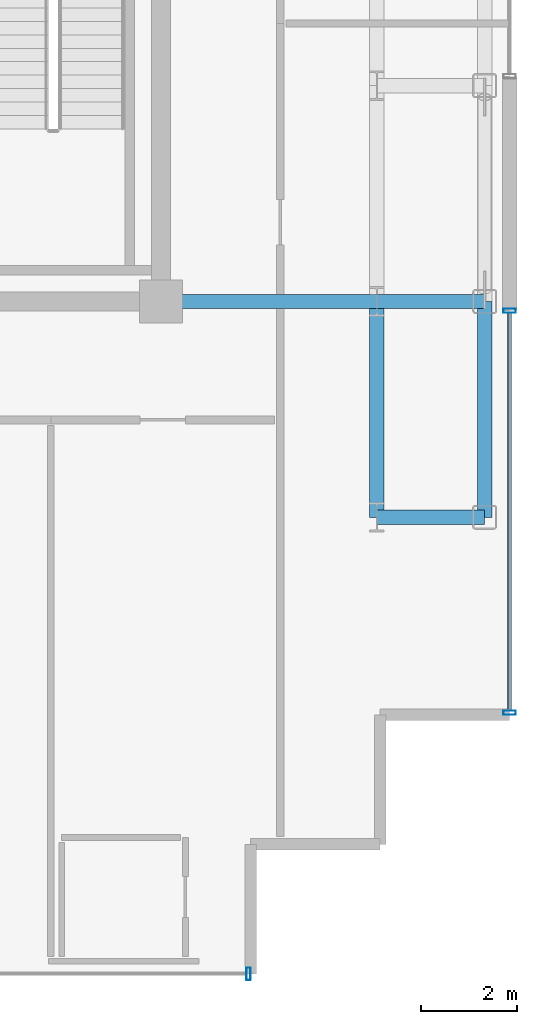
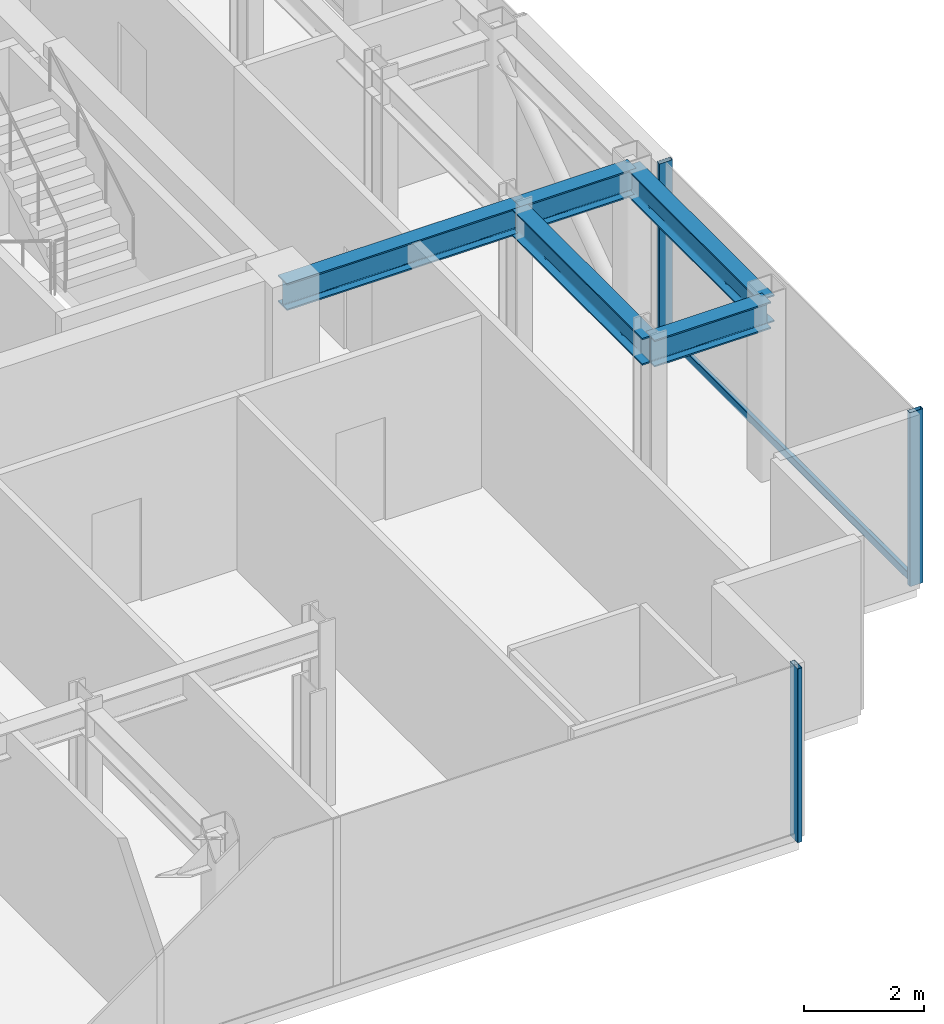
# One storey, part 5 of 16: 5 beams, 4 members, 2 elements without a shape of their own.
"""IFC4 building model written with IfcOpenShell, lengths in metres."""

from ifc_helpers import new_model, si_unit, direction, frame, origin, origin_2d, place, context, subcontext, project, spatial, hollow_rectangle, i_section, extrude, source, transform, mapped, material, layer, layer_set, material_profile, profile_set, type_object, element, aggregate, save


model = new_model("IFC4")

# Units and contexts
model_context = context("Model", 3, precision=1e-05, world=origin(), true_north=direction((0.0, 1.0)))
body_context = subcontext(model_context, "Body", "Model", "MODEL_VIEW")
ifc_project = project(units=[si_unit("LENGTHUNIT", "METRE"), si_unit("AREAUNIT", "SQUARE_METRE"), si_unit("VOLUMEUNIT", "CUBIC_METRE"), si_unit("PLANEANGLEUNIT", "RADIAN"), si_unit("MASSUNIT", "GRAM", prefix="KILO")], contexts=[model_context])

# Site, building, storey
site_placement = place(None, origin())
site = spatial("IfcSite", under=ifc_project, at=site_placement, CompositionType="ELEMENT")
building_placement = place(site_placement, origin())
building = spatial("IfcBuilding", under=site, at=building_placement, Name="Nefas-Gora Pilgrimage Tower", CompositionType="ELEMENT")
storey_placement = place(building_placement, frame((0.0, 0.0, 333.800048828125)))
storey = spatial("IfcBuildingStorey", under=building, at=storey_placement, Name="L84", CompositionType="ELEMENT", Elevation=333.800048828125)

# Beams
ifc_material_1 = material(Name="Steel S355", Category="steel")
ifc_material_profile_1 = material_profile(ifc_material_1, i_section(OverallWidth=0.300048828125, OverallDepth=0.550048828125, WebThickness=0.014892578125, FlangeThickness=0.029052734375, FilletRadius=0.027099609375, at=origin_2d()), Name="HEB 550")
ifc_profile_set_1 = profile_set([ifc_material_profile_1], Name="Steel S355")
beam_type_1 = type_object("IfcBeamType", Name="BM-SPN-HEB400", PredefinedType="SPANDREL", material=ifc_profile_set_1)
shared_shape_1 = source(origin(), body_context, "Body", "SweptSolid", [
    extrude(i_section(OverallWidth=0.300048828125, OverallDepth=0.550048828125, WebThickness=0.014892578125, FlangeThickness=0.029052734375, FilletRadius=0.027099609375, at=origin_2d()), origin(), (0.0, 0.0, 1.0), 4.5),
])
beam_placement = place(storey_placement, frame((18.0, -13.5, 3.27490234375), z_axis=(0.0, 1.0, 0.0), x_axis=(-1.0, 0.0, 0.0)))
element("IfcBeam", 1, at=beam_placement, inside=storey, type_object=beam_type_1, Name="L84 SP-04 beam", PredefinedType="SPANDREL", context=body_context, shape_type="MappedRepresentation", body=[
    mapped(shared_shape_1, transform((0.0, 0.0, 0.0), x_axis=(1.0, 0.0, 0.0), y_axis=(0.0, 1.0, 0.0), z_axis=(0.0, 0.0, 1.0), scale=1.0)),
])
ifc_material_profile_2 = material_profile(ifc_material_1, i_section(OverallWidth=0.300048828125, OverallDepth=0.550048828125, WebThickness=0.014892578125, FlangeThickness=0.029052734375, FilletRadius=0.027099609375, at=origin_2d()), Name="HEB 550")
ifc_profile_set_2 = profile_set([ifc_material_profile_2], Name="Steel S355")
beam_type_2 = type_object("IfcBeamType", Name="BM-GIR-HEB550", PredefinedType="BEAM", material=ifc_profile_set_2)
shared_shape_2 = source(origin(), body_context, "Body", "SweptSolid", [
    extrude(i_section(OverallWidth=0.300048828125, OverallDepth=0.550048828125, WebThickness=0.014892578125, FlangeThickness=0.029052734375, FilletRadius=0.027099609375, at=origin_2d()), origin(), (0.0, 0.0, 1.0), 4.5),
])
for number, where, z_axis, x_axis, name in (
    (2, (11.25, -9.0, 3.27490234375), (1.0, 0.0, 0.0), (0.0, 1.0, 0.0), "L84 G-05 beam"),
    (3, (15.75, -13.5, 3.27490234375), (0.0, 1.0, 0.0), (-1.0, 0.0, 0.0), "L84 G-05 beam"),
):
    element("IfcBeam", number, at=place(storey_placement, frame(where, z_axis=z_axis, x_axis=x_axis)), inside=storey, type_object=beam_type_2, Name=name, PredefinedType="BEAM", context=body_context, shape_type="MappedRepresentation", body=[
        mapped(shared_shape_2, transform((0.0, 0.0, 0.0), x_axis=(1.0, 0.0, 0.0), y_axis=(0.0, 1.0, 0.0), z_axis=(0.0, 0.0, 1.0), scale=1.0)),
    ])
shared_shape_3 = source(origin(), body_context, "Body", "SweptSolid", [
    extrude(i_section(OverallWidth=0.300048828125, OverallDepth=0.550048828125, WebThickness=0.014892578125, FlangeThickness=0.029052734375, FilletRadius=0.027099609375, at=origin_2d()), origin(), (0.0, 0.0, 1.0), 2.25),
])
for number, where, z_axis, x_axis, name in (
    (4, (15.75, -13.5, 3.27490234375), (1.0, 0.0, 0.0), (0.0, 1.0, 0.0), "L84 G-05 beam"),
    (5, (15.75, -9.0, 3.27490234375), (1.0, 0.0, 0.0), (0.0, 1.0, 0.0), "L84 G-05 beam"),
):
    element("IfcBeam", number, at=place(storey_placement, frame(where, z_axis=z_axis, x_axis=x_axis)), inside=storey, type_object=beam_type_2, Name=name, PredefinedType="BEAM", context=body_context, shape_type="MappedRepresentation", body=[
        mapped(shared_shape_3, transform((0.0, 0.0, 0.0), x_axis=(1.0, 0.0, 0.0), y_axis=(0.0, 1.0, 0.0), z_axis=(0.0, 0.0, 1.0), scale=1.0)),
    ])

# Curtain wall, member
ifc_material_2 = material(Name="Dark ceramic-fritted solar-control aluminium-glass curtain wall", Category="aluminium")
ifc_layer = layer(ifc_material_2, 0.219970703125)
ifc_layer_set = layer_set([ifc_layer], Name="Dark ceramic-fritted solar-control aluminium-glass curtain wall")
curtain_wall_type = type_object("IfcCurtainWallType", Name="CW-SYS-4", PredefinedType="NOTDEFINED", material=ifc_layer_set)
curtain_wall_1_placement = place(storey_placement, origin())
curtain_wall_1 = element("IfcCurtainWall", 6, at=curtain_wall_1_placement, inside=storey, type_object=curtain_wall_type, Name="L84 Unitised Curtain Wall CW4", PredefinedType="NOTDEFINED")
ifc_material_3 = material(Name="Anodised architectural aluminium", Category="aluminium")
ifc_material_profile_3 = material_profile(ifc_material_3, hollow_rectangle(XDim=0.080078125, YDim=0.159912109375, WallThickness=0.00439453125, InnerFilletRadius=0.00439453125, OuterFilletRadius=0.009033203125, at=origin_2d()), Name="ALU TRANSOM 80x160")
ifc_profile_set_3 = profile_set([ifc_material_profile_3], Name="Anodised architectural aluminium")
member_type_1 = type_object("IfcMemberType", Name="CWM-TRN-4", PredefinedType="USERDEFINED", material=ifc_profile_set_3)
shared_shape_4 = source(origin(), body_context, "Body", "SweptSolid", [
    extrude(hollow_rectangle(XDim=0.080078125, YDim=0.159912109375, WallThickness=0.00439453125, InnerFilletRadius=0.00439453125, OuterFilletRadius=0.009033203125, at=origin_2d()), origin(), (0.0, 0.0, 1.0), 8.2900390625),
])
member_1_placement = place(storey_placement, frame((18.52001953125, -17.530029296875, 0.050048828125), z_axis=(0.0, 1.0, 0.0), x_axis=(-1.0, 0.0, 0.0)))
member_1 = element("IfcMember", 7, at=member_1_placement, type_object=member_type_1, Name="CW4 Spandrel Transom", ObjectType="TRANSOM", PredefinedType="USERDEFINED", context=body_context, shape_type="MappedRepresentation", body=[
    mapped(shared_shape_4, transform((0.0, 0.0, 0.0), x_axis=(1.0, 0.0, 0.0), y_axis=(0.0, 1.0, 0.0), z_axis=(0.0, 0.0, 1.0), scale=1.0)),
])

curtain_wall_2_placement = place(storey_placement, origin())
curtain_wall_2 = element("IfcCurtainWall", 8, at=curtain_wall_2_placement, inside=storey, type_object=curtain_wall_type, Name="L84 Unitised Curtain Wall CW4", PredefinedType="NOTDEFINED")
ifc_material_profile_4 = material_profile(ifc_material_3, hollow_rectangle(XDim=0.090087890625, YDim=0.260009765625, WallThickness=0.006103515625, InnerFilletRadius=0.006103515625, OuterFilletRadius=0.011962890625, at=origin_2d()), Name="ALU MULLION 90x260")
ifc_profile_set_4 = profile_set([ifc_material_profile_4], Name="Anodised architectural aluminium")
member_type_2 = type_object("IfcMemberType", Name="CWM-MUL-4", PredefinedType="MULLION", material=ifc_profile_set_4)
shared_shape_5 = source(origin(), body_context, "Body", "SweptSolid", [
    extrude(hollow_rectangle(XDim=0.090087890625, YDim=0.260009765625, WallThickness=0.006103515625, InnerFilletRadius=0.006103515625, OuterFilletRadius=0.011962890625, at=origin_2d()), origin(), (0.0, 0.0, 1.0), 3.550048828125),
])
member_2_placement = place(storey_placement, frame((13.074951171875, -23.02001953125, 0.0), z_axis=(0.0, 0.0, 1.0), x_axis=(1.0, 0.0, 0.0)))
member_2 = element("IfcMember", 9, at=member_2_placement, type_object=member_type_2, Name="CW4 Mullion 2", PredefinedType="MULLION", context=body_context, shape_type="MappedRepresentation", body=[
    mapped(shared_shape_5, transform((0.0, 0.0, 0.0), x_axis=(1.0, 0.0, 0.0), y_axis=(0.0, 1.0, 0.0), z_axis=(0.0, 0.0, 1.0), scale=1.0)),
])
aggregate(curtain_wall_2, [member_2])

# Member
member_3_placement = place(storey_placement, frame((18.52001953125, -17.574951171875, 0.0), z_axis=(0.0, 0.0, 1.0), x_axis=(0.0, 1.0, 0.0)))
member_3 = element("IfcMember", 10, at=member_3_placement, type_object=member_type_2, Name="CW4 Mullion 1", PredefinedType="MULLION", context=body_context, shape_type="MappedRepresentation", body=[
    mapped(shared_shape_5, transform((0.0, 0.0, 0.0), x_axis=(1.0, 0.0, 0.0), y_axis=(0.0, 1.0, 0.0), z_axis=(0.0, 0.0, 1.0), scale=1.0)),
])

member_4_placement = place(storey_placement, frame((18.52001953125, -9.195068359375, 0.0), z_axis=(0.0, 0.0, 1.0), x_axis=(0.0, 1.0, 0.0)))
member_4 = element("IfcMember", 11, at=member_4_placement, type_object=member_type_2, Name="CW4 Mullion 2", PredefinedType="MULLION", context=body_context, shape_type="MappedRepresentation", body=[
    mapped(shared_shape_5, transform((0.0, 0.0, 0.0), x_axis=(1.0, 0.0, 0.0), y_axis=(0.0, 1.0, 0.0), z_axis=(0.0, 0.0, 1.0), scale=1.0)),
])

aggregate(curtain_wall_1, [member_3, member_4, member_1])

save(model, "model.ifc")
